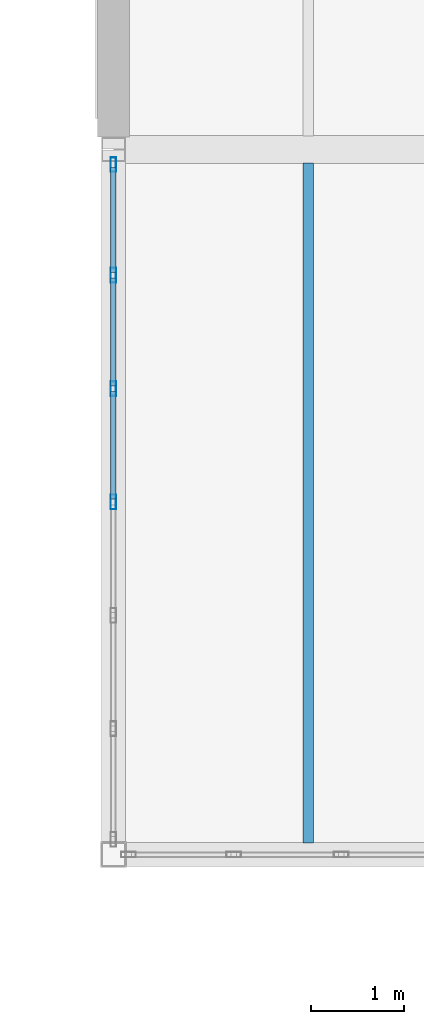
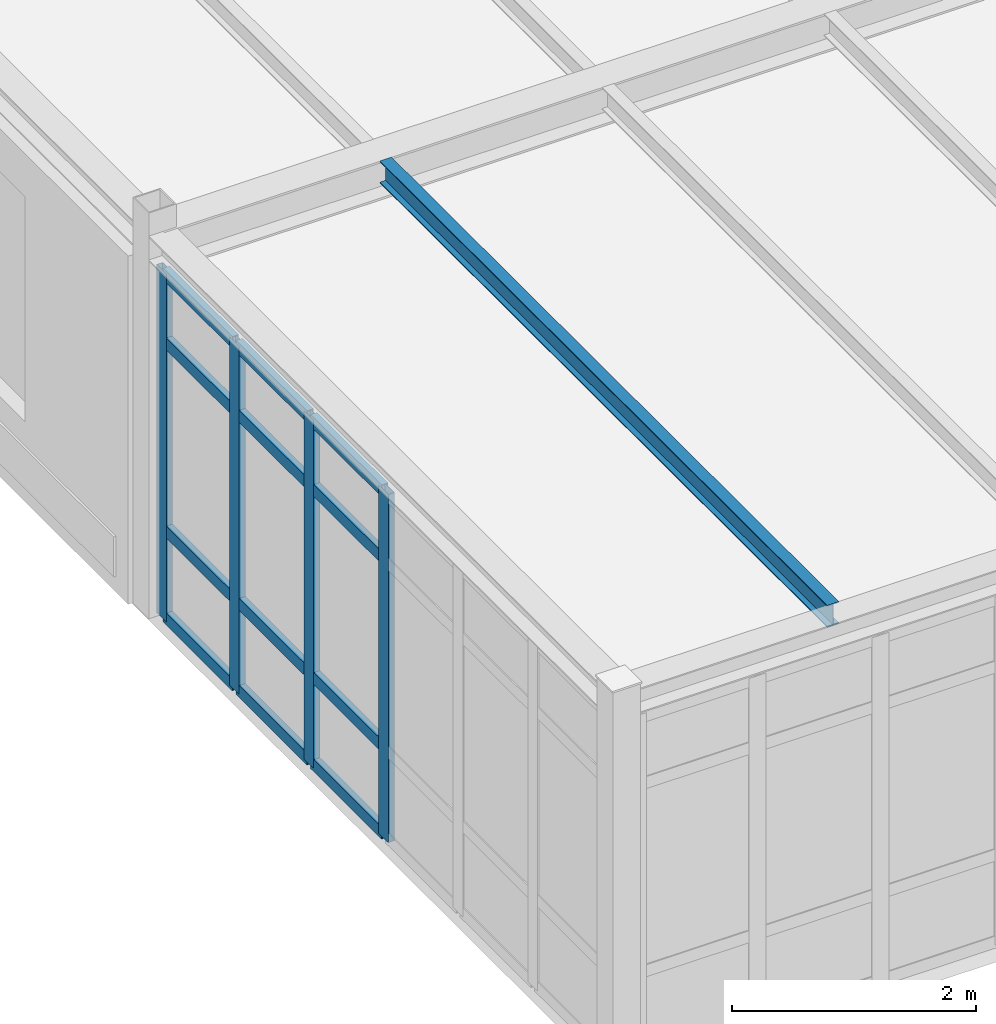
# One storey, part 71 of 189: 16 members, 1 beam, 1 element without a shape of its own.
"""IFC4 building model written with IfcOpenShell, lengths in metres."""

from ifc_helpers import new_model, si_unit, direction, frame, origin, origin_2d, place, context, subcontext, project, spatial, hollow_rectangle, i_section, extrude, material, layer, layer_set, material_profile, profile_set, type_object, element, aggregate, save


model = new_model("IFC4")

# Units and contexts
model_context = context("Model", 3, precision=1e-05, world=origin(), true_north=direction((0.0, 1.0)))
body_context = subcontext(model_context, "Body", "Model", "MODEL_VIEW")
ifc_project = project(units=[si_unit("LENGTHUNIT", "METRE"), si_unit("AREAUNIT", "SQUARE_METRE"), si_unit("VOLUMEUNIT", "CUBIC_METRE"), si_unit("PLANEANGLEUNIT", "RADIAN"), si_unit("MASSUNIT", "GRAM", prefix="KILO")], contexts=[model_context])

# Site, building, storey
site_placement = place(None, origin())
site = spatial("IfcSite", under=ifc_project, at=site_placement, CompositionType="ELEMENT")
building_placement = place(site_placement, origin())
building = spatial("IfcBuilding", under=site, at=building_placement, Name="Montecoro Central Library", CompositionType="ELEMENT")
storey_placement = place(building_placement, frame((0.0, 0.0, 9.179931640625)))
storey = spatial("IfcBuildingStorey", under=building, at=storey_placement, Name="L02", CompositionType="ELEMENT", Elevation=9.179931640625)

# Beam
ifc_material_1 = material(Name="Steel S355", Category="steel")
ifc_material_profile_1 = material_profile(ifc_material_1, i_section(OverallWidth=0.110107421875, OverallDepth=0.219970703125, WebThickness=0.005859375, FlangeThickness=0.00927734375, at=origin_2d()), Name="IPE 220")
ifc_profile_set_1 = profile_set([ifc_material_profile_1], Name="Steel S355")
beam_type = type_object("IfcBeamType", Name="BM-J-IPE220", PredefinedType="JOIST", material=ifc_profile_set_1)
beam_placement = place(storey_placement, frame((68.5, 81.126953125, 3.715087890625), z_axis=(0.0, 1.0, 0.0), x_axis=(-1.0, 0.0, 0.0)))
element("IfcBeam", 1, at=beam_placement, inside=storey, type_object=beam_type, Name="V2-L02-JS-910-LM-1", PredefinedType="JOIST", context=body_context, shape_type="SweptSolid", body=[
    extrude(i_section(OverallWidth=0.110107421875, OverallDepth=0.219970703125, WebThickness=0.005859375, FlangeThickness=0.00927734375, at=origin_2d()), origin(), (0.0, 0.0, 1.0), 7.325927734375),
])

# Curtain wall, members
ifc_material_2 = material(Name="Bronze-anodised aluminium and low-E glazing", Category="aluminium")
ifc_layer = layer(ifc_material_2, 0.159912109375)
ifc_layer_set = layer_set([ifc_layer], Name="Bronze-anodised aluminium and low-E glazing")
curtain_wall_type = type_object("IfcCurtainWallType", Name="CWT-017", PredefinedType="NOTDEFINED", material=ifc_layer_set)
curtain_wall_placement = place(storey_placement, origin())
curtain_wall = element("IfcCurtainWall", 2, at=curtain_wall_placement, inside=storey, type_object=curtain_wall_type, Name="V2-L02-CW-W0", PredefinedType="NOTDEFINED")
ifc_material_3 = material(Name="Bronze-anodised aluminium", Category="aluminium")
ifc_material_profile_2 = material_profile(ifc_material_3, hollow_rectangle(XDim=0.06005859375, YDim=0.159912109375, WallThickness=0.00390625, at=origin_2d()), Name="CWM 160x60x4.0")
ifc_profile_set_2 = profile_set([ifc_material_profile_2], Name="Bronze-anodised aluminium")
member_type_1 = type_object("IfcMemberType", Name="CWM-BRZ-60", PredefinedType="MULLION", material=ifc_profile_set_2)
member_1_placement = place(storey_placement, frame((66.39990234375, 88.43701171875, 0.0), z_axis=(0.0, 0.0, 1.0), x_axis=(1.0, 0.0, 0.0)))
member_1 = element("IfcMember", 3, at=member_1_placement, type_object=member_type_1, Name="CW-017 mullion 1", PredefinedType="MULLION", context=body_context, shape_type="SweptSolid", body=[
    extrude(hollow_rectangle(XDim=0.06005859375, YDim=0.159912109375, WallThickness=0.00390625, at=origin_2d()), origin(), (0.0, 0.0, 1.0), 3.47998046875),
])
member_2_placement = place(storey_placement, frame((66.39990234375, 87.24462890625, 0.0), z_axis=(0.0, 0.0, 1.0), x_axis=(1.0, 0.0, 0.0)))
member_2 = element("IfcMember", 4, at=member_2_placement, type_object=member_type_1, Name="CW-017 mullion 2", PredefinedType="MULLION", context=body_context, shape_type="SweptSolid", body=[
    extrude(hollow_rectangle(XDim=0.06005859375, YDim=0.159912109375, WallThickness=0.00390625, at=origin_2d()), origin(), (0.0, 0.0, 1.0), 3.47998046875),
])
member_3_placement = place(storey_placement, frame((66.39990234375, 86.022216796875, 0.0), z_axis=(0.0, 0.0, 1.0), x_axis=(1.0, 0.0, 0.0)))
member_3 = element("IfcMember", 5, at=member_3_placement, type_object=member_type_1, Name="CW-017 mullion 3", PredefinedType="MULLION", context=body_context, shape_type="SweptSolid", body=[
    extrude(hollow_rectangle(XDim=0.06005859375, YDim=0.159912109375, WallThickness=0.00390625, at=origin_2d()), origin(), (0.0, 0.0, 1.0), 3.47998046875),
])
member_4_placement = place(storey_placement, frame((66.39990234375, 84.800048828125, 0.0), z_axis=(0.0, 0.0, 1.0), x_axis=(1.0, 0.0, 0.0)))
member_4 = element("IfcMember", 6, at=member_4_placement, type_object=member_type_1, Name="CW-017 mullion 4", PredefinedType="MULLION", context=body_context, shape_type="SweptSolid", body=[
    extrude(hollow_rectangle(XDim=0.06005859375, YDim=0.159912109375, WallThickness=0.00390625, at=origin_2d()), origin(), (0.0, 0.0, 1.0), 3.47998046875),
])
ifc_material_profile_3 = material_profile(ifc_material_3, hollow_rectangle(XDim=0.06005859375, YDim=0.1201171875, WallThickness=0.00390625, at=origin_2d()), Name="CWT 120x60x4.0")
ifc_profile_set_3 = profile_set([ifc_material_profile_3], Name="Bronze-anodised aluminium")
member_type_2 = type_object("IfcMemberType", Name="CWT-BRZ-60", PredefinedType="USERDEFINED", material=ifc_profile_set_3)
member_5_placement = place(storey_placement, frame((66.39990234375, 88.406982421875, 0.030029296875), z_axis=(0.0, -1.0, 0.0), x_axis=(1.0, 0.0, 0.0)))
member_5 = element("IfcMember", 7, at=member_5_placement, type_object=member_type_2, Name="CW-017 transom 1.1", ObjectType="TRANSOM", PredefinedType="USERDEFINED", context=body_context, shape_type="SweptSolid", body=[
    extrude(hollow_rectangle(XDim=0.06005859375, YDim=0.1201171875, WallThickness=0.00390625, at=origin_2d()), origin(), (0.0, 0.0, 1.0), 1.13232421875),
])
member_6_placement = place(storey_placement, frame((66.39990234375, 88.406982421875, 0.900146484375), z_axis=(0.0, -1.0, 0.0), x_axis=(1.0, 0.0, 0.0)))
member_6 = element("IfcMember", 8, at=member_6_placement, type_object=member_type_2, Name="CW-017 transom 1.2", ObjectType="TRANSOM", PredefinedType="USERDEFINED", context=body_context, shape_type="SweptSolid", body=[
    extrude(hollow_rectangle(XDim=0.06005859375, YDim=0.1201171875, WallThickness=0.00390625, at=origin_2d()), origin(), (0.0, 0.0, 1.0), 1.13232421875),
])
member_7_placement = place(storey_placement, frame((66.39990234375, 88.406982421875, 2.780029296875), z_axis=(0.0, -1.0, 0.0), x_axis=(1.0, 0.0, 0.0)))
member_7 = element("IfcMember", 9, at=member_7_placement, type_object=member_type_2, Name="CW-017 transom 1.3", ObjectType="TRANSOM", PredefinedType="USERDEFINED", context=body_context, shape_type="SweptSolid", body=[
    extrude(hollow_rectangle(XDim=0.06005859375, YDim=0.1201171875, WallThickness=0.00390625, at=origin_2d()), origin(), (0.0, 0.0, 1.0), 1.13232421875),
])
member_8_placement = place(storey_placement, frame((66.39990234375, 88.406982421875, 3.449951171875), z_axis=(0.0, -1.0, 0.0), x_axis=(1.0, 0.0, 0.0)))
member_8 = element("IfcMember", 10, at=member_8_placement, type_object=member_type_2, Name="CW-017 transom 1.4", ObjectType="TRANSOM", PredefinedType="USERDEFINED", context=body_context, shape_type="SweptSolid", body=[
    extrude(hollow_rectangle(XDim=0.06005859375, YDim=0.1201171875, WallThickness=0.00390625, at=origin_2d()), origin(), (0.0, 0.0, 1.0), 1.13232421875),
])
member_9_placement = place(storey_placement, frame((66.39990234375, 87.214599609375, 0.030029296875), z_axis=(0.0, -1.0, 0.0), x_axis=(1.0, 0.0, 0.0)))
member_9 = element("IfcMember", 11, at=member_9_placement, type_object=member_type_2, Name="CW-017 transom 2.1", ObjectType="TRANSOM", PredefinedType="USERDEFINED", context=body_context, shape_type="SweptSolid", body=[
    extrude(hollow_rectangle(XDim=0.06005859375, YDim=0.1201171875, WallThickness=0.00390625, at=origin_2d()), origin(), (0.0, 0.0, 1.0), 1.162353515625),
])
member_10_placement = place(storey_placement, frame((66.39990234375, 87.214599609375, 0.900146484375), z_axis=(0.0, -1.0, 0.0), x_axis=(1.0, 0.0, 0.0)))
member_10 = element("IfcMember", 12, at=member_10_placement, type_object=member_type_2, Name="CW-017 transom 2.2", ObjectType="TRANSOM", PredefinedType="USERDEFINED", context=body_context, shape_type="SweptSolid", body=[
    extrude(hollow_rectangle(XDim=0.06005859375, YDim=0.1201171875, WallThickness=0.00390625, at=origin_2d()), origin(), (0.0, 0.0, 1.0), 1.162353515625),
])
member_11_placement = place(storey_placement, frame((66.39990234375, 87.214599609375, 2.780029296875), z_axis=(0.0, -1.0, 0.0), x_axis=(1.0, 0.0, 0.0)))
member_11 = element("IfcMember", 13, at=member_11_placement, type_object=member_type_2, Name="CW-017 transom 2.3", ObjectType="TRANSOM", PredefinedType="USERDEFINED", context=body_context, shape_type="SweptSolid", body=[
    extrude(hollow_rectangle(XDim=0.06005859375, YDim=0.1201171875, WallThickness=0.00390625, at=origin_2d()), origin(), (0.0, 0.0, 1.0), 1.162353515625),
])
member_12_placement = place(storey_placement, frame((66.39990234375, 87.214599609375, 3.449951171875), z_axis=(0.0, -1.0, 0.0), x_axis=(1.0, 0.0, 0.0)))
member_12 = element("IfcMember", 14, at=member_12_placement, type_object=member_type_2, Name="CW-017 transom 2.4", ObjectType="TRANSOM", PredefinedType="USERDEFINED", context=body_context, shape_type="SweptSolid", body=[
    extrude(hollow_rectangle(XDim=0.06005859375, YDim=0.1201171875, WallThickness=0.00390625, at=origin_2d()), origin(), (0.0, 0.0, 1.0), 1.162353515625),
])
member_13_placement = place(storey_placement, frame((66.39990234375, 85.992431640625, 0.030029296875), z_axis=(0.0, -1.0, 0.0), x_axis=(1.0, 0.0, 0.0)))
member_13 = element("IfcMember", 15, at=member_13_placement, type_object=member_type_2, Name="CW-017 transom 3.1", ObjectType="TRANSOM", PredefinedType="USERDEFINED", context=body_context, shape_type="SweptSolid", body=[
    extrude(hollow_rectangle(XDim=0.06005859375, YDim=0.1201171875, WallThickness=0.00390625, at=origin_2d()), origin(), (0.0, 0.0, 1.0), 1.162353515625),
])
member_14_placement = place(storey_placement, frame((66.39990234375, 85.992431640625, 0.900146484375), z_axis=(0.0, -1.0, 0.0), x_axis=(1.0, 0.0, 0.0)))
member_14 = element("IfcMember", 16, at=member_14_placement, type_object=member_type_2, Name="CW-017 transom 3.2", ObjectType="TRANSOM", PredefinedType="USERDEFINED", context=body_context, shape_type="SweptSolid", body=[
    extrude(hollow_rectangle(XDim=0.06005859375, YDim=0.1201171875, WallThickness=0.00390625, at=origin_2d()), origin(), (0.0, 0.0, 1.0), 1.162353515625),
])
member_15_placement = place(storey_placement, frame((66.39990234375, 85.992431640625, 2.780029296875), z_axis=(0.0, -1.0, 0.0), x_axis=(1.0, 0.0, 0.0)))
member_15 = element("IfcMember", 17, at=member_15_placement, type_object=member_type_2, Name="CW-017 transom 3.3", ObjectType="TRANSOM", PredefinedType="USERDEFINED", context=body_context, shape_type="SweptSolid", body=[
    extrude(hollow_rectangle(XDim=0.06005859375, YDim=0.1201171875, WallThickness=0.00390625, at=origin_2d()), origin(), (0.0, 0.0, 1.0), 1.162353515625),
])
member_16_placement = place(storey_placement, frame((66.39990234375, 85.992431640625, 3.449951171875), z_axis=(0.0, -1.0, 0.0), x_axis=(1.0, 0.0, 0.0)))
member_16 = element("IfcMember", 18, at=member_16_placement, type_object=member_type_2, Name="CW-017 transom 3.4", ObjectType="TRANSOM", PredefinedType="USERDEFINED", context=body_context, shape_type="SweptSolid", body=[
    extrude(hollow_rectangle(XDim=0.06005859375, YDim=0.1201171875, WallThickness=0.00390625, at=origin_2d()), origin(), (0.0, 0.0, 1.0), 1.162353515625),
])
aggregate(curtain_wall, [member_1, member_2, member_3, member_4, member_5, member_6, member_7, member_8, member_9, member_10, member_11, member_12, member_13, member_14, member_15, member_16])

save(model, "model.ifc")
